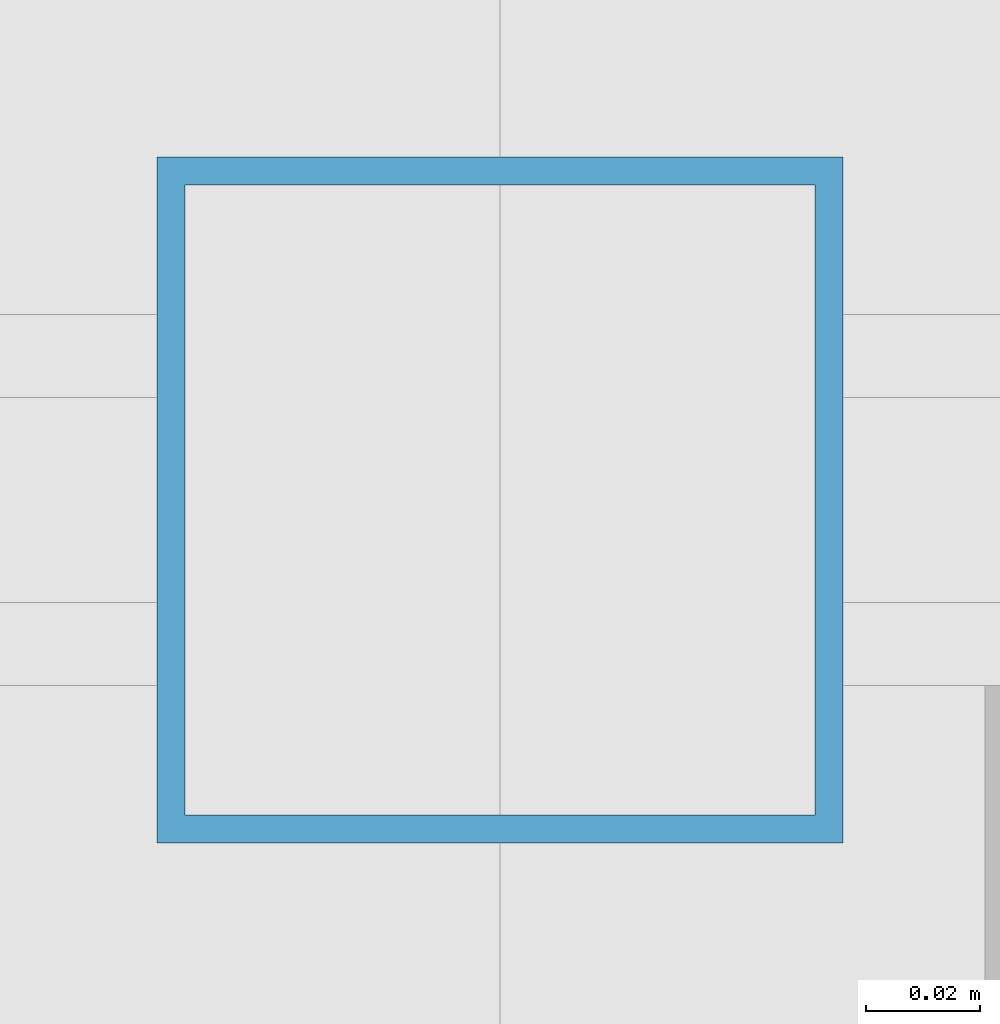
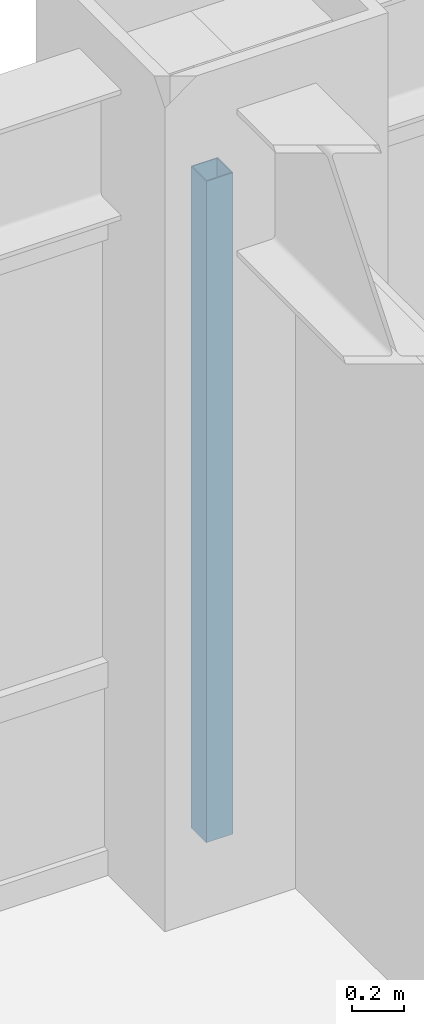
# One storey, part 16 of 25: 1 member, 1 element without a shape of its own.
"""IFC4 building model written with IfcOpenShell, lengths in metres."""

from ifc_helpers import new_model, si_unit, direction, frame, origin, origin_2d, place, context, subcontext, project, spatial, hollow_rectangle, extrude, source, transform, mapped, material, material_profile, profile_set, type_object, element, aggregate, save


model = new_model("IFC4")

# Units and contexts
model_context = context("Model", 3, precision=1e-05, world=origin(), true_north=direction((0.0, 1.0)))
body_context = subcontext(model_context, "Body", "Model", "MODEL_VIEW")
ifc_project = project(units=[si_unit("LENGTHUNIT", "METRE"), si_unit("AREAUNIT", "SQUARE_METRE"), si_unit("VOLUMEUNIT", "CUBIC_METRE"), si_unit("PLANEANGLEUNIT", "RADIAN"), si_unit("MASSUNIT", "GRAM", prefix="KILO")], contexts=[model_context])

# Site, building, storey
site_placement = place(None, origin())
site = spatial("IfcSite", under=ifc_project, at=site_placement, CompositionType="ELEMENT")
building_placement = place(site_placement, origin())
building = spatial("IfcBuilding", under=site, at=building_placement, Name="Khorayat Bourse Tower", CompositionType="ELEMENT")
storey_placement = place(building_placement, frame((0.0, 0.0, 231.10009765625)))
storey = spatial("IfcBuildingStorey", under=building, at=storey_placement, Name="L54", CompositionType="ELEMENT", Elevation=231.10009765625)

# Curtain wall, member
ifc_material = material(Name="Aluminium EN AW-6063 T6", Category="aluminium")
curtain_wall_type = type_object("IfcCurtainWallType", Name="CW-SYS-03", PredefinedType="NOTDEFINED", material=ifc_material)
curtain_wall_placement = place(storey_placement, origin())
curtain_wall = element("IfcCurtainWall", 1, at=curtain_wall_placement, inside=storey, type_object=curtain_wall_type, Name="L54 Curtain Wall CW-L54-N1", PredefinedType="NOTDEFINED")
ifc_material_profile = material_profile(ifc_material, hollow_rectangle(XDim=0.1201171875, YDim=0.1201171875, WallThickness=0.0048828125, at=origin_2d()), Name="ALU 120x120x5")
ifc_profile_set = profile_set([ifc_material_profile], Name="Aluminium EN AW-6063 T6")
member_type = type_object("IfcMemberType", Name="CWM-VERT-120", PredefinedType="MULLION", material=ifc_profile_set)
shared_shape = source(origin(), body_context, "Body", "SweptSolid", [
    extrude(hollow_rectangle(XDim=0.1201171875, YDim=0.1201171875, WallThickness=0.0048828125, at=origin_2d()), origin(), (0.0, 0.0, 1.0), 3.1298828125),
])
member_placement = place(storey_placement, frame((0.0, 30.0, 0.0), z_axis=(0.0, 0.0, 1.0), x_axis=(0.0, 1.0, 0.0)))
member = element("IfcMember", 2, at=member_placement, type_object=member_type, Name="CW-L54-N1 Vertical Mullion 2", PredefinedType="MULLION", context=body_context, shape_type="MappedRepresentation", body=[
    mapped(shared_shape, transform((0.0, 0.0, 0.0), scale=1.0)),
])
aggregate(curtain_wall, [member])

save(model, "model.ifc")
